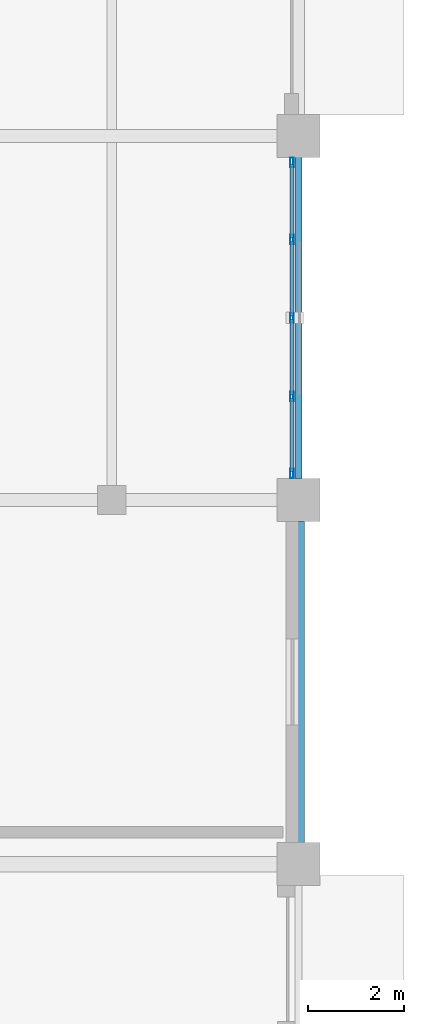
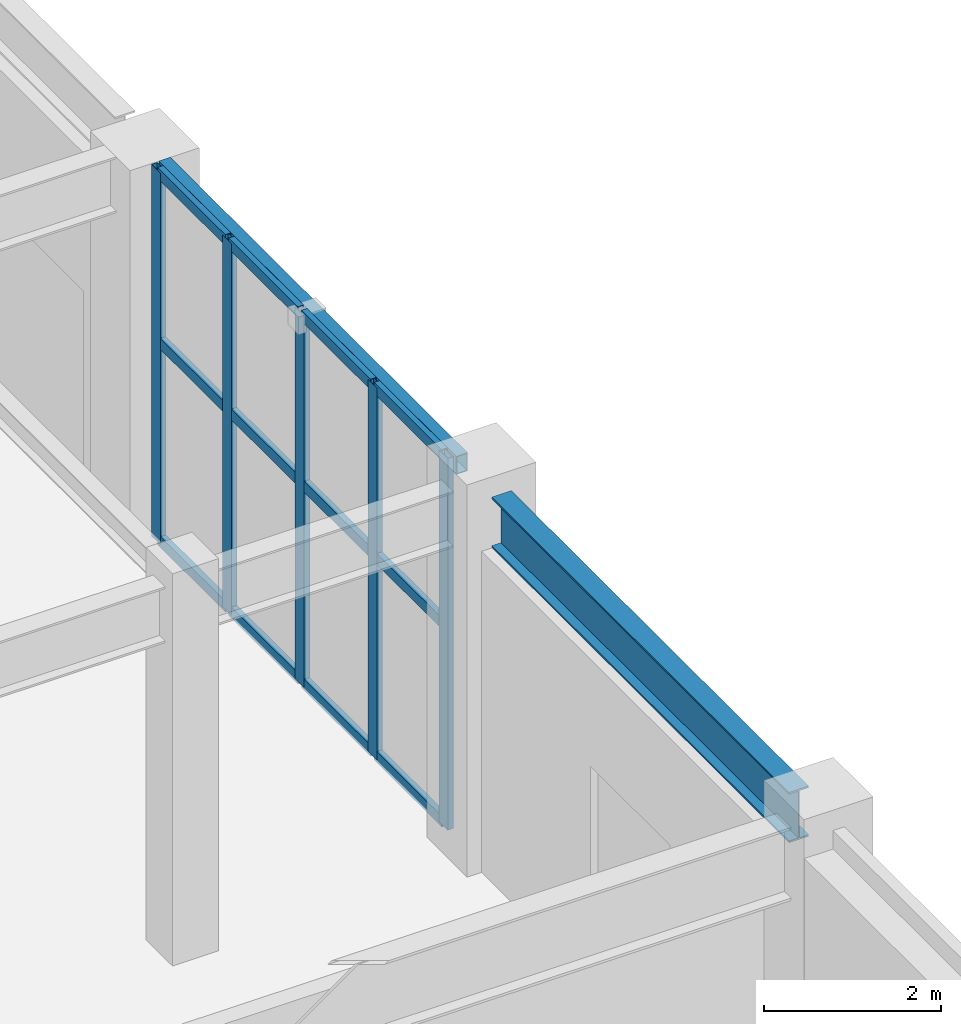
# One storey, part 86 of 139: 17 members, 2 beams, 1 element without a shape of its own.
"""IFC4 building model written with IfcOpenShell, lengths in metres."""

from ifc_helpers import new_model, si_unit, direction, frame, origin, origin_2d, place, context, subcontext, project, spatial, hollow_rectangle, i_section, extrude, material, layer, layer_set, material_profile, profile_set, type_object, element, aggregate, save


model = new_model("IFC4")

# Units and contexts
model_context = context("Model", 3, precision=1e-05, world=origin(), true_north=direction((0.0, 1.0)))
body_context = subcontext(model_context, "Body", "Model", "MODEL_VIEW")
ifc_project = project(units=[si_unit("LENGTHUNIT", "METRE"), si_unit("AREAUNIT", "SQUARE_METRE"), si_unit("VOLUMEUNIT", "CUBIC_METRE"), si_unit("PLANEANGLEUNIT", "RADIAN"), si_unit("MASSUNIT", "GRAM", prefix="KILO")], contexts=[model_context])

# Site, building, storey
site_placement = place(None, origin())
site = spatial("IfcSite", under=ifc_project, at=site_placement, CompositionType="ELEMENT")
building_placement = place(site_placement, origin())
building = spatial("IfcBuilding", under=site, at=building_placement, Name="Xicomal Pleat Aquarium", CompositionType="ELEMENT")
storey_placement = place(building_placement, origin())
storey = spatial("IfcBuildingStorey", under=building, at=storey_placement, Name="L01", CompositionType="ELEMENT", Elevation=0.0)

# Beams
ifc_material_1 = material(Name="Structural steel A992 Gr 50", Category="steel")
ifc_material_profile_1 = material_profile(ifc_material_1, i_section(OverallWidth=0.256103515625, OverallDepth=0.693115234375, WebThickness=0.014404296875, FlangeThickness=0.023681640625, at=origin_2d()), Name="IR 690x170")
ifc_profile_set_1 = profile_set([ifc_material_profile_1], Name="Structural steel A992 Gr 50")
beam_type_1 = type_object("IfcBeamType", Name="BM-STL-IR690", PredefinedType="BEAM", material=ifc_profile_set_1)
beam_1_placement = place(storey_placement, frame((165.0, 15.64501953125, 4.7734375), z_axis=(0.0, 1.0, 0.0), x_axis=(-1.0, 0.0, 0.0)))
element("IfcBeam", 1, at=beam_1_placement, inside=storey, type_object=beam_type_1, Name="L01 framing beam FGY-L01-21-C-D", PredefinedType="BEAM", context=body_context, shape_type="SweptSolid", body=[
    extrude(i_section(OverallWidth=0.256103515625, OverallDepth=0.693115234375, WebThickness=0.014404296875, FlangeThickness=0.023681640625, at=origin_2d()), origin(), (0.0, 0.0, 1.0), 6.7099609375),
])
ifc_material_2 = material(Name="Structural steel A500 Gr C", Category="steel")
ifc_material_profile_2 = material_profile(ifc_material_2, hollow_rectangle(XDim=0.14990234375, YDim=0.25, WallThickness=0.010009765625, at=origin_2d()), Name="OR 250x150x10")
ifc_profile_set_2 = profile_set([ifc_material_profile_2], Name="Structural steel A500 Gr C")
beam_type_2 = type_object("IfcBeamType", Name="BM-STL-OR250", PredefinedType="SPANDREL", material=ifc_profile_set_2)
beam_2_placement = place(storey_placement, frame((165.0, 23.2451171875, 4.9951171875), z_axis=(0.0, 1.0, 0.0), x_axis=(-1.0, 0.0, 0.0)))
element("IfcBeam", 2, at=beam_2_placement, inside=storey, type_object=beam_type_2, Name="L01 framing beam FGY-L01-21-D-E", PredefinedType="SPANDREL", context=body_context, shape_type="SweptSolid", body=[
    extrude(hollow_rectangle(XDim=0.14990234375, YDim=0.25, WallThickness=0.010009765625, at=origin_2d()), origin(), (0.0, 0.0, 1.0), 6.7099609375),
])

# Curtain wall, members
ifc_material_3 = material(Name="Bronze anodized aluminium 6063-T6", Category="aluminium")
ifc_layer = layer(ifc_material_3, 0.159912109375)
ifc_layer_set = layer_set([ifc_layer], Name="Bronze anodized aluminium 6063-T6")
curtain_wall_type = type_object("IfcCurtainWallType", Name="CW-SYS-06", PredefinedType="NOTDEFINED", material=ifc_layer_set)
curtain_wall_placement = place(storey_placement, origin())
curtain_wall = element("IfcCurtainWall", 3, at=curtain_wall_placement, inside=storey, type_object=curtain_wall_type, Name="L01 unitised curtain wall CW-L01-058", PredefinedType="NOTDEFINED")
ifc_material_4 = material(Name="Bronze anodized aluminium 6063-T6", Category="aluminium")
ifc_material_profile_3 = material_profile(ifc_material_4, hollow_rectangle(XDim=0.074951171875, YDim=0.199951171875, WallThickness=0.00439453125, at=origin_2d()), Name="ALU MULL 75x200")
ifc_profile_set_3 = profile_set([ifc_material_profile_3], Name="Bronze anodized aluminium 6063-T6")
member_type_1 = type_object("IfcMemberType", Name="CWM-75x200", PredefinedType="MULLION", material=ifc_profile_set_3)
member_1_placement = place(storey_placement, frame((164.860107421875, 29.842529296875, 0.0), z_axis=(0.0, 0.0, 1.0), x_axis=(1.0, 0.0, 0.0)))
member_1 = element("IfcMember", 4, at=member_1_placement, type_object=member_type_1, Name="CW-06 mullion 1", PredefinedType="MULLION", context=body_context, shape_type="SweptSolid", body=[
    extrude(hollow_rectangle(XDim=0.074951171875, YDim=0.199951171875, WallThickness=0.00439453125, at=origin_2d()), origin(), (0.0, 0.0, 1.0), 5.1201171875),
])
member_2_placement = place(storey_placement, frame((164.860107421875, 28.239990234375, 0.0), z_axis=(0.0, 0.0, 1.0), x_axis=(1.0, 0.0, 0.0)))
member_2 = element("IfcMember", 5, at=member_2_placement, type_object=member_type_1, Name="CW-06 mullion 2", PredefinedType="MULLION", context=body_context, shape_type="SweptSolid", body=[
    extrude(hollow_rectangle(XDim=0.074951171875, YDim=0.199951171875, WallThickness=0.00439453125, at=origin_2d()), origin(), (0.0, 0.0, 1.0), 5.1201171875),
])
member_3_placement = place(storey_placement, frame((164.860107421875, 26.60009765625, 0.0), z_axis=(0.0, 0.0, 1.0), x_axis=(1.0, 0.0, 0.0)))
member_3 = element("IfcMember", 6, at=member_3_placement, type_object=member_type_1, Name="CW-06 mullion 3", PredefinedType="MULLION", context=body_context, shape_type="SweptSolid", body=[
    extrude(hollow_rectangle(XDim=0.074951171875, YDim=0.199951171875, WallThickness=0.00439453125, at=origin_2d()), origin(), (0.0, 0.0, 1.0), 5.1201171875),
])
member_4_placement = place(storey_placement, frame((164.860107421875, 24.9599609375, 0.0), z_axis=(0.0, 0.0, 1.0), x_axis=(1.0, 0.0, 0.0)))
member_4 = element("IfcMember", 7, at=member_4_placement, type_object=member_type_1, Name="CW-06 mullion 4", PredefinedType="MULLION", context=body_context, shape_type="SweptSolid", body=[
    extrude(hollow_rectangle(XDim=0.074951171875, YDim=0.199951171875, WallThickness=0.00439453125, at=origin_2d()), origin(), (0.0, 0.0, 1.0), 5.1201171875),
])
member_5_placement = place(storey_placement, frame((164.860107421875, 23.357421875, 0.0), z_axis=(0.0, 0.0, 1.0), x_axis=(1.0, 0.0, 0.0)))
member_5 = element("IfcMember", 8, at=member_5_placement, type_object=member_type_1, Name="CW-06 mullion 5", PredefinedType="MULLION", context=body_context, shape_type="SweptSolid", body=[
    extrude(hollow_rectangle(XDim=0.074951171875, YDim=0.199951171875, WallThickness=0.00439453125, at=origin_2d()), origin(), (0.0, 0.0, 1.0), 5.1201171875),
])
ifc_material_5 = material(Name="Bronze anodized aluminium 6063-T6", Category="aluminium")
ifc_material_profile_4 = material_profile(ifc_material_5, hollow_rectangle(XDim=0.074951171875, YDim=0.14990234375, WallThickness=0.00439453125, at=origin_2d()), Name="ALU TRAN 75x150")
ifc_profile_set_4 = profile_set([ifc_material_profile_4], Name="Bronze anodized aluminium 6063-T6")
member_type_2 = type_object("IfcMemberType", Name="CWT-75x150", PredefinedType="USERDEFINED", material=ifc_profile_set_4)
member_6_placement = place(storey_placement, frame((164.860107421875, 29.804931640625, 0.03759765625), z_axis=(0.0, -1.0, 0.0), x_axis=(1.0, 0.0, 0.0)))
member_6 = element("IfcMember", 9, at=member_6_placement, type_object=member_type_2, Name="CW-06 transom 1.1", ObjectType="TRANSOM", PredefinedType="USERDEFINED", context=body_context, shape_type="SweptSolid", body=[
    extrude(hollow_rectangle(XDim=0.074951171875, YDim=0.14990234375, WallThickness=0.00439453125, at=origin_2d()), origin(), (0.0, 0.0, 1.0), 1.52734375),
])
member_7_placement = place(storey_placement, frame((164.860107421875, 29.804931640625, 2.764892578125), z_axis=(0.0, -1.0, 0.0), x_axis=(1.0, 0.0, 0.0)))
member_7 = element("IfcMember", 10, at=member_7_placement, type_object=member_type_2, Name="CW-06 transom 1.2", ObjectType="TRANSOM", PredefinedType="USERDEFINED", context=body_context, shape_type="SweptSolid", body=[
    extrude(hollow_rectangle(XDim=0.074951171875, YDim=0.14990234375, WallThickness=0.00439453125, at=origin_2d()), origin(), (0.0, 0.0, 1.0), 1.52734375),
])
member_8_placement = place(storey_placement, frame((164.860107421875, 29.804931640625, 5.08251953125), z_axis=(0.0, -1.0, 0.0), x_axis=(1.0, 0.0, 0.0)))
member_8 = element("IfcMember", 11, at=member_8_placement, type_object=member_type_2, Name="CW-06 transom 1.3", ObjectType="TRANSOM", PredefinedType="USERDEFINED", context=body_context, shape_type="SweptSolid", body=[
    extrude(hollow_rectangle(XDim=0.074951171875, YDim=0.14990234375, WallThickness=0.00439453125, at=origin_2d()), origin(), (0.0, 0.0, 1.0), 1.52734375),
])
member_9_placement = place(storey_placement, frame((164.860107421875, 28.202392578125, 0.03759765625), z_axis=(0.0, -1.0, 0.0), x_axis=(1.0, 0.0, 0.0)))
member_9 = element("IfcMember", 12, at=member_9_placement, type_object=member_type_2, Name="CW-06 transom 2.1", ObjectType="TRANSOM", PredefinedType="USERDEFINED", context=body_context, shape_type="SweptSolid", body=[
    extrude(hollow_rectangle(XDim=0.074951171875, YDim=0.14990234375, WallThickness=0.00439453125, at=origin_2d()), origin(), (0.0, 0.0, 1.0), 1.56494140625),
])
member_10_placement = place(storey_placement, frame((164.860107421875, 28.202392578125, 2.764892578125), z_axis=(0.0, -1.0, 0.0), x_axis=(1.0, 0.0, 0.0)))
member_10 = element("IfcMember", 13, at=member_10_placement, type_object=member_type_2, Name="CW-06 transom 2.2", ObjectType="TRANSOM", PredefinedType="USERDEFINED", context=body_context, shape_type="SweptSolid", body=[
    extrude(hollow_rectangle(XDim=0.074951171875, YDim=0.14990234375, WallThickness=0.00439453125, at=origin_2d()), origin(), (0.0, 0.0, 1.0), 1.56494140625),
])
member_11_placement = place(storey_placement, frame((164.860107421875, 28.202392578125, 5.08251953125), z_axis=(0.0, -1.0, 0.0), x_axis=(1.0, 0.0, 0.0)))
member_11 = element("IfcMember", 14, at=member_11_placement, type_object=member_type_2, Name="CW-06 transom 2.3", ObjectType="TRANSOM", PredefinedType="USERDEFINED", context=body_context, shape_type="SweptSolid", body=[
    extrude(hollow_rectangle(XDim=0.074951171875, YDim=0.14990234375, WallThickness=0.00439453125, at=origin_2d()), origin(), (0.0, 0.0, 1.0), 1.56494140625),
])
member_12_placement = place(storey_placement, frame((164.860107421875, 26.5625, 0.03759765625), z_axis=(0.0, -1.0, 0.0), x_axis=(1.0, 0.0, 0.0)))
member_12 = element("IfcMember", 15, at=member_12_placement, type_object=member_type_2, Name="CW-06 transom 3.1", ObjectType="TRANSOM", PredefinedType="USERDEFINED", context=body_context, shape_type="SweptSolid", body=[
    extrude(hollow_rectangle(XDim=0.074951171875, YDim=0.14990234375, WallThickness=0.00439453125, at=origin_2d()), origin(), (0.0, 0.0, 1.0), 1.56494140625),
])
member_13_placement = place(storey_placement, frame((164.860107421875, 26.5625, 2.764892578125), z_axis=(0.0, -1.0, 0.0), x_axis=(1.0, 0.0, 0.0)))
member_13 = element("IfcMember", 16, at=member_13_placement, type_object=member_type_2, Name="CW-06 transom 3.2", ObjectType="TRANSOM", PredefinedType="USERDEFINED", context=body_context, shape_type="SweptSolid", body=[
    extrude(hollow_rectangle(XDim=0.074951171875, YDim=0.14990234375, WallThickness=0.00439453125, at=origin_2d()), origin(), (0.0, 0.0, 1.0), 1.56494140625),
])
member_14_placement = place(storey_placement, frame((164.860107421875, 26.5625, 5.08251953125), z_axis=(0.0, -1.0, 0.0), x_axis=(1.0, 0.0, 0.0)))
member_14 = element("IfcMember", 17, at=member_14_placement, type_object=member_type_2, Name="CW-06 transom 3.3", ObjectType="TRANSOM", PredefinedType="USERDEFINED", context=body_context, shape_type="SweptSolid", body=[
    extrude(hollow_rectangle(XDim=0.074951171875, YDim=0.14990234375, WallThickness=0.00439453125, at=origin_2d()), origin(), (0.0, 0.0, 1.0), 1.56494140625),
])
member_15_placement = place(storey_placement, frame((164.860107421875, 24.922607421875, 0.03759765625), z_axis=(0.0, -1.0, 0.0), x_axis=(1.0, 0.0, 0.0)))
member_15 = element("IfcMember", 18, at=member_15_placement, type_object=member_type_2, Name="CW-06 transom 4.1", ObjectType="TRANSOM", PredefinedType="USERDEFINED", context=body_context, shape_type="SweptSolid", body=[
    extrude(hollow_rectangle(XDim=0.074951171875, YDim=0.14990234375, WallThickness=0.00439453125, at=origin_2d()), origin(), (0.0, 0.0, 1.0), 1.527587890625),
])
member_16_placement = place(storey_placement, frame((164.860107421875, 24.922607421875, 2.764892578125), z_axis=(0.0, -1.0, 0.0), x_axis=(1.0, 0.0, 0.0)))
member_16 = element("IfcMember", 19, at=member_16_placement, type_object=member_type_2, Name="CW-06 transom 4.2", ObjectType="TRANSOM", PredefinedType="USERDEFINED", context=body_context, shape_type="SweptSolid", body=[
    extrude(hollow_rectangle(XDim=0.074951171875, YDim=0.14990234375, WallThickness=0.00439453125, at=origin_2d()), origin(), (0.0, 0.0, 1.0), 1.527587890625),
])
member_17_placement = place(storey_placement, frame((164.860107421875, 24.922607421875, 5.08251953125), z_axis=(0.0, -1.0, 0.0), x_axis=(1.0, 0.0, 0.0)))
member_17 = element("IfcMember", 20, at=member_17_placement, type_object=member_type_2, Name="CW-06 transom 4.3", ObjectType="TRANSOM", PredefinedType="USERDEFINED", context=body_context, shape_type="SweptSolid", body=[
    extrude(hollow_rectangle(XDim=0.074951171875, YDim=0.14990234375, WallThickness=0.00439453125, at=origin_2d()), origin(), (0.0, 0.0, 1.0), 1.527587890625),
])
aggregate(curtain_wall, [member_1, member_2, member_3, member_4, member_5, member_6, member_7, member_8, member_9, member_10, member_11, member_12, member_13, member_14, member_15, member_16, member_17])

save(model, "model.ifc")
